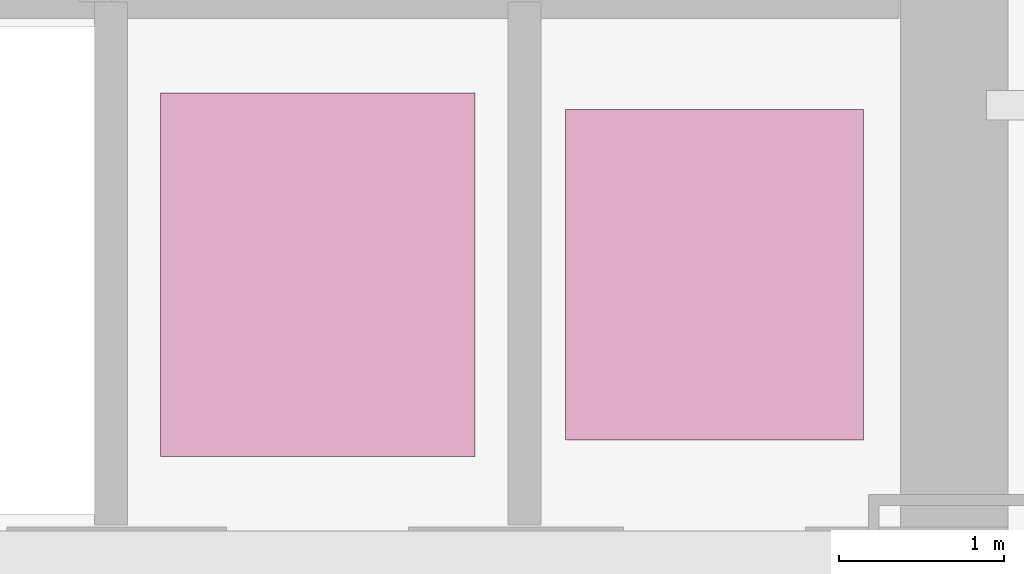
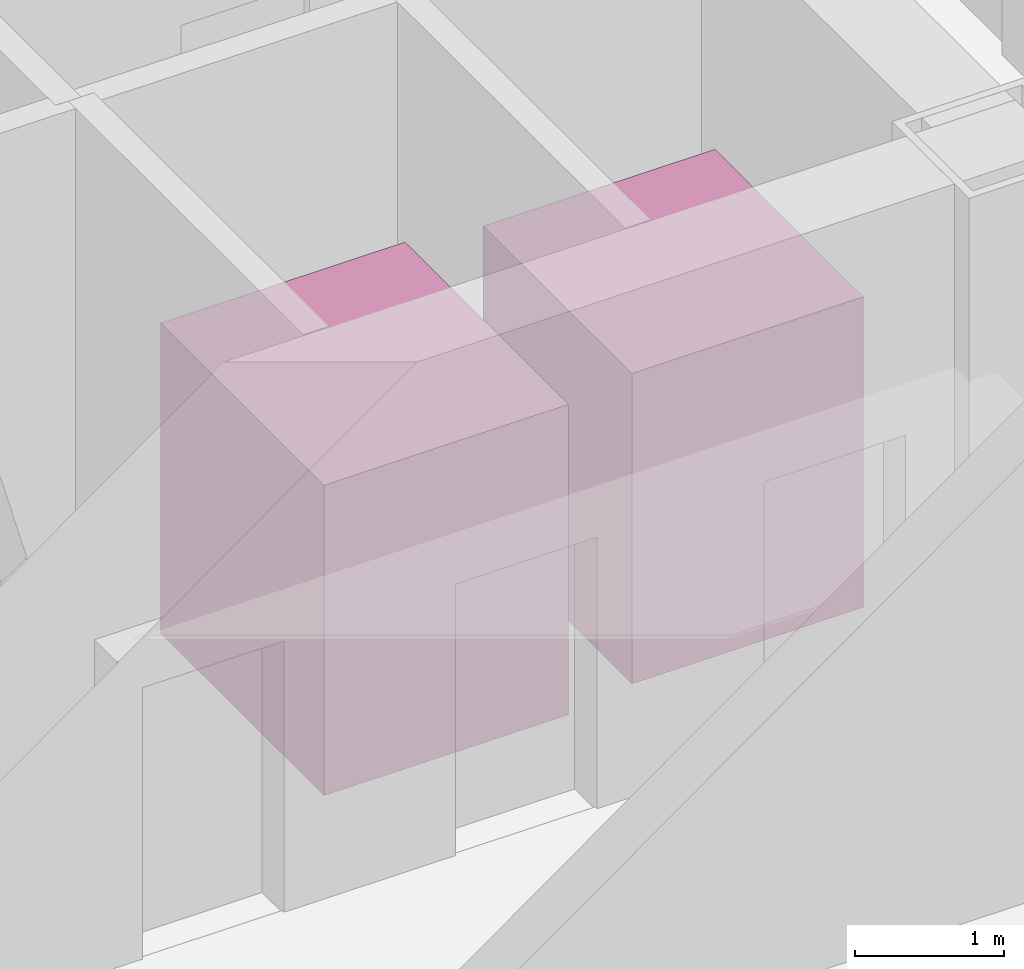
# One storey, part 31 of 31: 2 transport elements.
"""IFC4 building model written with IfcOpenShell, lengths in metres."""

from ifc_helpers import new_model, si_unit, direction, frame, origin, origin_2d, place, context, subcontext, project, spatial, rectangle, extrude, source, transform, mapped, material, type_object, element, save


model = new_model("IFC4")

# Units and contexts
model_context = context("Model", 3, precision=1e-05, world=origin(), true_north=direction((0.0, 1.0)))
body_context = subcontext(model_context, "Body", "Model", "MODEL_VIEW")
ifc_project = project(units=[si_unit("LENGTHUNIT", "METRE"), si_unit("AREAUNIT", "SQUARE_METRE"), si_unit("VOLUMEUNIT", "CUBIC_METRE"), si_unit("PLANEANGLEUNIT", "RADIAN"), si_unit("MASSUNIT", "GRAM", prefix="KILO")], contexts=[model_context])

# Site, building, storey
site_placement = place(None, origin())
site = spatial("IfcSite", under=ifc_project, at=site_placement, CompositionType="ELEMENT")
building_placement = place(site_placement, origin())
building = spatial("IfcBuilding", under=site, at=building_placement, Name="Kolveth Station Tower", CompositionType="ELEMENT")
storey_placement = place(building_placement, origin())
storey = spatial("IfcBuildingStorey", under=building, at=storey_placement, Name="L00", CompositionType="ELEMENT", Elevation=0.0)

# Transport elements
ifc_material = material(Name="Brushed stainless steel and aluminium", Category="steel")
transport_element_type_1 = type_object("IfcTransportElementType", Name="Lift_EL-PM", PredefinedType="ELEVATOR", material=ifc_material)
shared_shape_1 = source(origin(), body_context, "Body", "SweptSolid", [
    extrude(rectangle(XDim=1.89990234375, YDim=2.199951171875, at=origin_2d()), origin(), (0.0, 0.0, 1.0), 2.550048828125),
])
transport_element_1_placement = place(storey_placement, frame((24.64990234375, 13.35009765625, 0.0), z_axis=(0.0, 0.0, 1.0), x_axis=(1.0, 0.0, 0.0)))
element("IfcTransportElement", 1, at=transport_element_1_placement, inside=storey, type_object=transport_element_type_1, Name="Mid-Rise Passenger Lift PM1", PredefinedType="ELEVATOR", context=body_context, shape_type="MappedRepresentation", body=[
    mapped(shared_shape_1, transform((0.0, 0.0, 0.0), x_axis=(1.0, 0.0, 0.0), y_axis=(0.0, 1.0, 0.0), z_axis=(0.0, 0.0, 1.0), scale=1.0)),
])
transport_element_type_2 = type_object("IfcTransportElementType", Name="Lift_EL-PH", PredefinedType="ELEVATOR", material=ifc_material)
shared_shape_2 = source(origin(), body_context, "Body", "SweptSolid", [
    extrude(rectangle(XDim=1.800048828125, YDim=2.0, at=origin_2d()), origin(), (0.0, 0.0, 1.0), 2.550048828125),
])
transport_element_2_placement = place(storey_placement, frame((27.050048828125, 13.35009765625, 0.0), z_axis=(0.0, 0.0, 1.0), x_axis=(1.0, 0.0, 0.0)))
element("IfcTransportElement", 2, at=transport_element_2_placement, inside=storey, type_object=transport_element_type_2, Name="High-Rise Passenger Lift PH1", PredefinedType="ELEVATOR", context=body_context, shape_type="MappedRepresentation", body=[
    mapped(shared_shape_2, transform((0.0, 0.0, 0.0), x_axis=(1.0, 0.0, 0.0), y_axis=(0.0, 1.0, 0.0), z_axis=(0.0, 0.0, 1.0), scale=1.0)),
])

save(model, "model.ifc")
